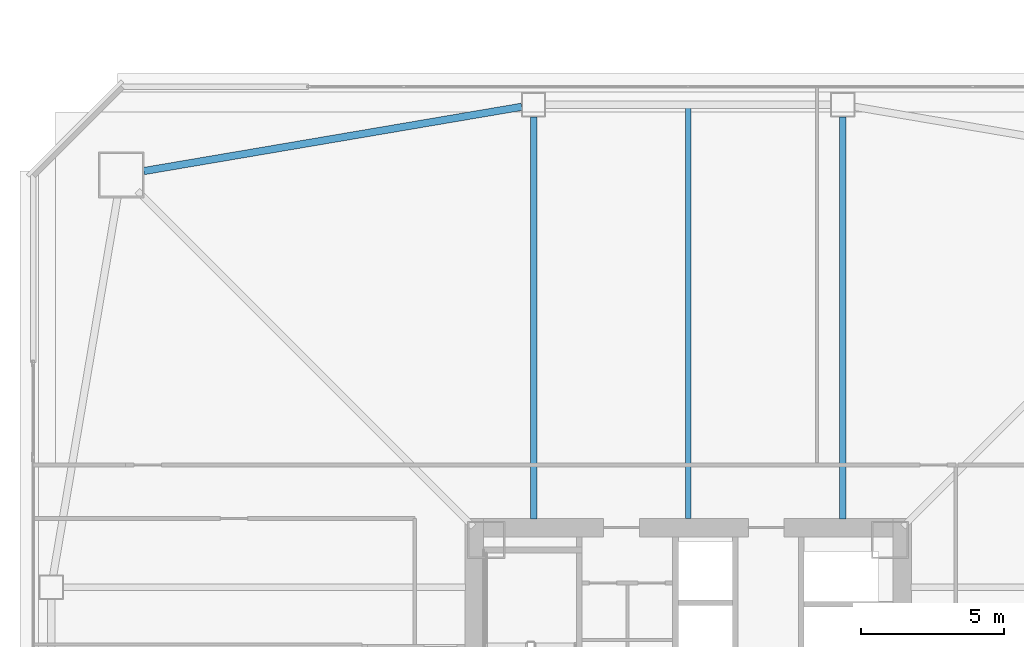
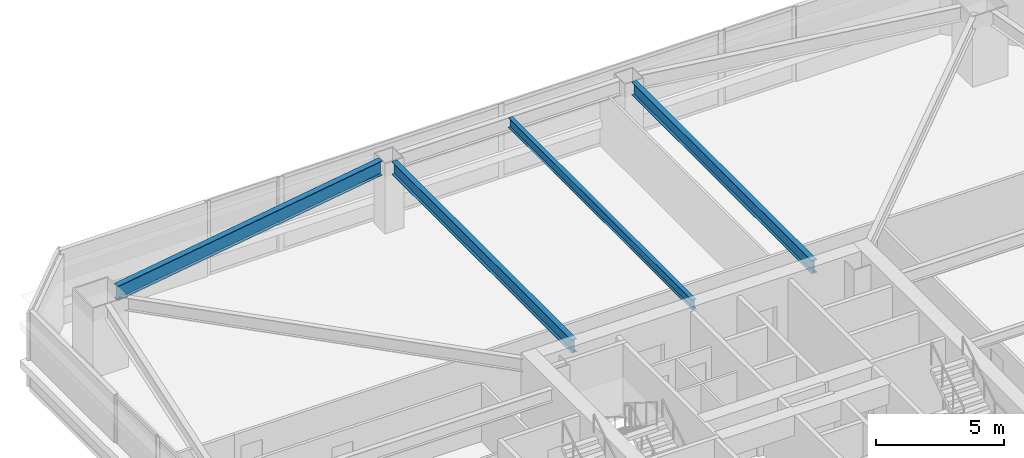
# One storey, part 14 of 46: 4 beams.
"""IFC4 building model written with IfcOpenShell, lengths in metres."""

from ifc_helpers import new_model, si_unit, direction, frame, origin, origin_2d, place, context, subcontext, project, spatial, i_section, extrude, material, material_profile, profile_set, type_object, element, save


model = new_model("IFC4")

# Units and contexts
model_context = context("Model", 3, precision=1e-05, world=origin(), true_north=direction((0.0, 1.0)))
body_context = subcontext(model_context, "Body", "Model", "MODEL_VIEW")
ifc_project = project(units=[si_unit("LENGTHUNIT", "METRE"), si_unit("AREAUNIT", "SQUARE_METRE"), si_unit("VOLUMEUNIT", "CUBIC_METRE"), si_unit("PLANEANGLEUNIT", "RADIAN"), si_unit("MASSUNIT", "GRAM", prefix="KILO")], contexts=[model_context])

# Site, building, storey
site_placement = place(None, origin())
site = spatial("IfcSite", under=ifc_project, at=site_placement, CompositionType="ELEMENT")
building_placement = place(site_placement, origin())
building = spatial("IfcBuilding", under=site, at=building_placement, Name="Tashvorn Skyway Center", CompositionType="ELEMENT")
storey_placement = place(building_placement, frame((0.0, 0.0, 60.10009765625)))
storey = spatial("IfcBuildingStorey", under=building, at=storey_placement, Name="L15", CompositionType="ELEMENT", Elevation=60.10009765625)

# Beams
ifc_material = material(Name="Steel ASTM A992 Grade 50", Category="steel")
ifc_material_profile_1 = material_profile(ifc_material, i_section(OverallWidth=0.22998046875, OverallDepth=0.616943359375, WebThickness=0.01318359375, FlangeThickness=0.022216796875, at=origin_2d()), Name="W24X94")
ifc_profile_set_1 = profile_set([ifc_material_profile_1], Name="Steel ASTM A992 Grade 50")
beam_type_1 = type_object("IfcBeamType", Name="BM-BEAM-W24X94", PredefinedType="BEAM", material=ifc_profile_set_1)
for number, where, z_axis, x_axis, name in (
    (1, (47.39990234375, 53.830078125, 3.04150390625), (0.0, -1.0, 0.0), (1.0, 0.0, 0.0), "Tower 1 L15 Primary Floor Girder FC-N1"),
    (2, (36.60009765625, 53.830078125, 3.04150390625), (0.0, -1.0, 0.0), (1.0, 0.0, 0.0), "Tower 1 L15 Primary Floor Girder FC-N2"),
):
    element("IfcBeam", number, at=place(storey_placement, frame(where, z_axis=z_axis, x_axis=x_axis)), inside=storey, type_object=beam_type_1, Name=name, PredefinedType="BEAM", context=body_context, shape_type="SweptSolid", body=[
        extrude(i_section(OverallWidth=0.22998046875, OverallDepth=0.616943359375, WebThickness=0.01318359375, FlangeThickness=0.022216796875, at=origin_2d()), origin(), (0.0, 0.0, 1.0), 14.050048828125),
    ])
ifc_material_profile_2 = material_profile(ifc_material, i_section(OverallWidth=0.19091796875, OverallDepth=0.4599609375, WebThickness=0.010009765625, FlangeThickness=0.01611328125, at=origin_2d()), Name="W18X55")
ifc_profile_set_2 = profile_set([ifc_material_profile_2], Name="Steel ASTM A992 Grade 50")
beam_type_2 = type_object("IfcBeamType", Name="BM-JOIST-W18X55", PredefinedType="JOIST", material=ifc_profile_set_2)
beam_1_placement = place(storey_placement, frame((42.0, 39.7900390625, 3.119873046875), z_axis=(0.0, 1.0, 0.0), x_axis=(-1.0, 0.0, 0.0)))
element("IfcBeam", 3, at=beam_1_placement, inside=storey, type_object=beam_type_2, Name="Tower 1 L15 Secondary Composite Joist JN", PredefinedType="JOIST", context=body_context, shape_type="SweptSolid", body=[
    extrude(i_section(OverallWidth=0.19091796875, OverallDepth=0.4599609375, WebThickness=0.010009765625, FlangeThickness=0.01611328125, at=origin_2d()), origin(), (0.0, 0.0, 1.0), 14.33984375),
])
ifc_material_profile_3 = material_profile(ifc_material, i_section(OverallWidth=0.256103515625, OverallDepth=0.693115234375, WebThickness=0.014404296875, FlangeThickness=0.023681640625, at=origin_2d()), Name="W27X114")
ifc_profile_set_3 = profile_set([ifc_material_profile_3], Name="Steel ASTM A992 Grade 50")
beam_type_3 = type_object("IfcBeamType", Name="BM-SPANDREL-W27X114", PredefinedType="SPANDREL", material=ifc_profile_set_3)
beam_2_placement = place(storey_placement, frame((36.18603515625, 54.179443359375, 3.00341796875), z_axis=(-0.985835025551, -0.16771792509, 0.0), x_axis=(0.16771792509, -0.985835025551, 0.0)))
element("IfcBeam", 4, at=beam_2_placement, inside=storey, type_object=beam_type_3, Name="Tower 1 L15 Spandrel Beam 09", PredefinedType="SPANDREL", context=body_context, shape_type="SweptSolid", body=[
    extrude(i_section(OverallWidth=0.256103515625, OverallDepth=0.693115234375, WebThickness=0.014404296875, FlangeThickness=0.023681640625, at=origin_2d()), origin(), (0.0, 0.0, 1.0), 13.39208984375),
])

save(model, "model.ifc")
